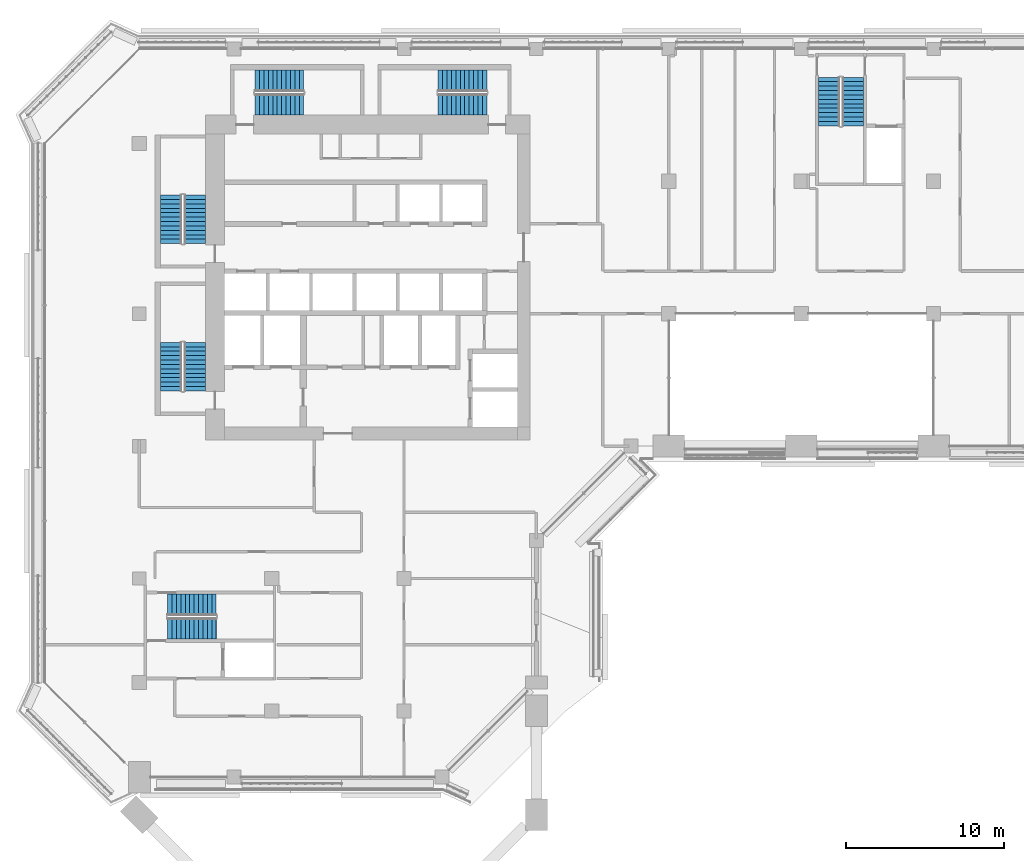
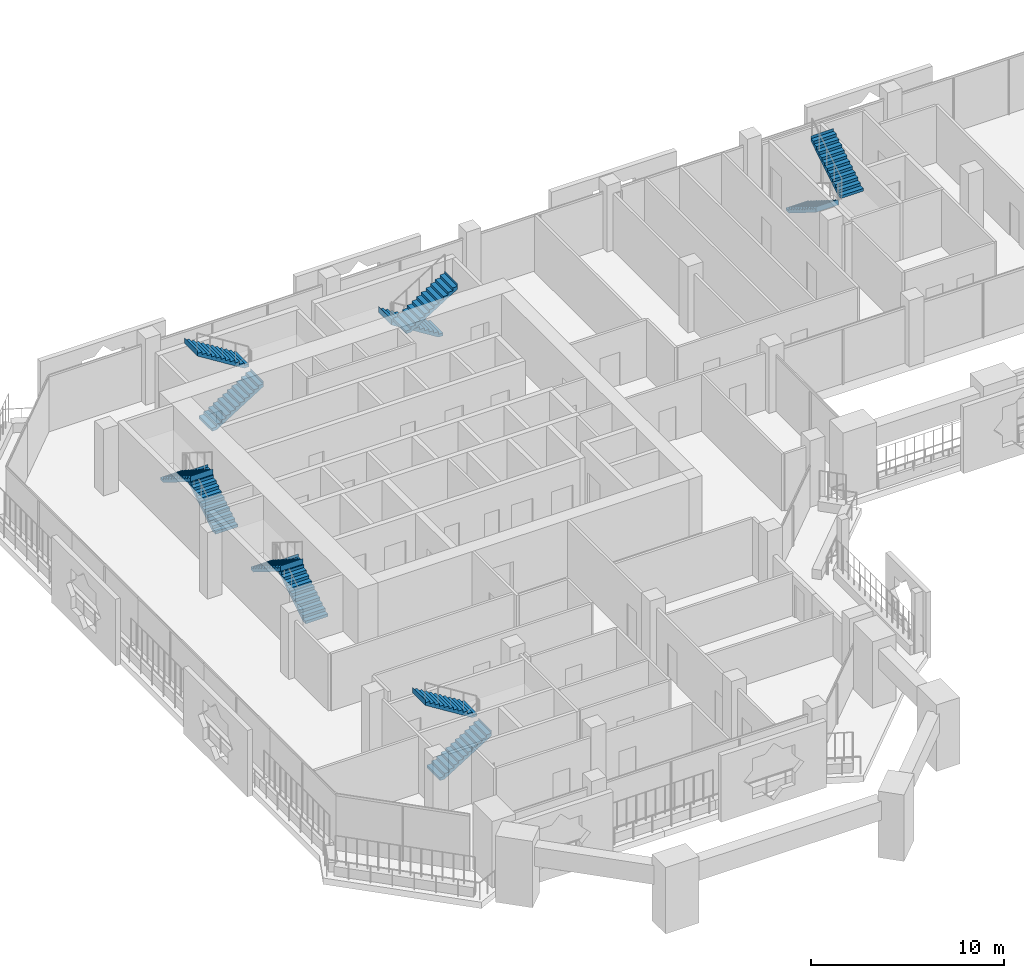
# One storey, part 16 of 23: 12 stair flights, 6 elements without a shape of their own.
"""IFC4 building model written with IfcOpenShell, lengths in metres."""

from ifc_helpers import new_model, si_unit, direction, frame, origin, place, context, subcontext, project, spatial, polyline, outline, extrude, material, type_object, element, aggregate, save


model = new_model("IFC4")

# Units and contexts
model_context = context("Model", 3, precision=1e-05, world=origin(), true_north=direction((0.0, 1.0)))
body_context = subcontext(model_context, "Body", "Model", "MODEL_VIEW")
ifc_project = project(units=[si_unit("LENGTHUNIT", "METRE"), si_unit("AREAUNIT", "SQUARE_METRE"), si_unit("VOLUMEUNIT", "CUBIC_METRE"), si_unit("PLANEANGLEUNIT", "RADIAN"), si_unit("MASSUNIT", "GRAM", prefix="KILO")], contexts=[model_context])

# Site, building, storey
site_placement = place(None, origin())
site = spatial("IfcSite", under=ifc_project, at=site_placement, CompositionType="ELEMENT")
building_placement = place(site_placement, origin())
building = spatial("IfcBuilding", under=site, at=building_placement, Name="Kawkab Arch Medical Tower", CompositionType="ELEMENT")
storey_placement = place(building_placement, frame((0.0, 0.0, 222.199951171875)))
storey = spatial("IfcBuildingStorey", under=building, at=storey_placement, Name="L51", CompositionType="ELEMENT", Elevation=222.199951171875)

# Stair, stair flights
ifc_material_1 = material(Name="Concrete C40/50", Category="concrete")
stair_type = type_object("IfcStairType", Name="Exit stair 1350", PredefinedType="HALF_TURN_STAIR", material=ifc_material_1)
placement = place(storey_placement, origin())
stair_1 = element("IfcStair", 1, at=placement, inside=storey, type_object=stair_type, Name="L51 Exit stair ST1", PredefinedType="HALF_TURN_STAIR")
ifc_material_2 = material(Name="Concrete C40/50", Category="concrete")
stair_flight_type = type_object("IfcStairFlightType", Name="Exit stair flight 1350", PredefinedType="STRAIGHT", material=ifc_material_2)
stair_flight_1_placement = place(storey_placement, frame((3.52490234375, -12.35009765625, 0.0), z_axis=(0.0, 0.0, 1.0), x_axis=(0.0, 1.0, 0.0)))
stair_flight_1 = element("IfcStairFlight", 2, at=stair_flight_1_placement, type_object=stair_flight_type, Name="ST1 flight 1", NumberOfRisers=12, NumberOfTreads=11, PredefinedType="STRAIGHT", RiserHeight=0.175, TreadLength=0.28, context=body_context, shape_type="SweptSolid", body=[
    extrude(outline(polyline([(-0.0029296875, 0.0), (-0.0029296875, 0.175048828125), (0.0, 0.175048828125), (0.280029296875, 0.175048828125), (0.280029296875, 0.35009765625), (0.56005859375, 0.35009765625), (0.56005859375, 0.52490234375), (0.840087890625, 0.52490234375), (0.840087890625, 0.699951171875), (1.1201171875, 0.699951171875), (1.1201171875, 0.875), (1.39990234375, 0.875), (1.39990234375, 1.050048828125), (1.679931640625, 1.050048828125), (1.679931640625, 1.22509765625), (1.9599609375, 1.22509765625), (1.9599609375, 1.39990234375), (2.239990234375, 1.39990234375), (2.239990234375, 1.574951171875), (2.52001953125, 1.574951171875), (2.52001953125, 1.75), (2.800048828125, 1.75), (2.800048828125, 1.925048828125), (3.080078125, 1.925048828125), (3.080078125, 2.10009765625), (3.0830078125, 2.10009765625), (3.0830078125, 1.748291015625), (3.080078125, 1.748291015625), (0.28271484375, 0.0), (-0.0029296875, 0.0)])), frame((0.0, 0.675048828125, 0.0), z_axis=(0.0, -1.0, 0.0), x_axis=(1.0, 0.0, 0.0)), (0.0, 0.0, 1.0), 1.35009765625),
])
stair_flight_2_placement = place(storey_placement, frame((2.02490234375, -9.27001953125, 2.10009765625), z_axis=(0.0, 0.0, 1.0), x_axis=(0.0, -1.0, 0.0)))
stair_flight_2 = element("IfcStairFlight", 3, at=stair_flight_2_placement, type_object=stair_flight_type, Name="ST1 flight 2", NumberOfRisers=12, NumberOfTreads=11, PredefinedType="STRAIGHT", RiserHeight=0.175, TreadLength=0.28, context=body_context, shape_type="SweptSolid", body=[
    extrude(outline(polyline([(-0.0029296875, 0.0), (-0.0029296875, 0.175048828125), (0.0, 0.175048828125), (0.280029296875, 0.175048828125), (0.280029296875, 0.35009765625), (0.56005859375, 0.35009765625), (0.56005859375, 0.52490234375), (0.840087890625, 0.52490234375), (0.840087890625, 0.699951171875), (1.1201171875, 0.699951171875), (1.1201171875, 0.875), (1.39990234375, 0.875), (1.39990234375, 1.050048828125), (1.679931640625, 1.050048828125), (1.679931640625, 1.22509765625), (1.9599609375, 1.22509765625), (1.9599609375, 1.39990234375), (2.239990234375, 1.39990234375), (2.239990234375, 1.574951171875), (2.52001953125, 1.574951171875), (2.52001953125, 1.75), (2.800048828125, 1.75), (2.800048828125, 1.925048828125), (3.080078125, 1.925048828125), (3.080078125, 2.10009765625), (3.0830078125, 2.10009765625), (3.0830078125, 1.748291015625), (3.080078125, 1.748291015625), (0.28271484375, 0.0), (-0.0029296875, 0.0)])), frame((0.0, 0.675048828125, 0.0), z_axis=(0.0, -1.0, 0.0), x_axis=(1.0, 0.0, 0.0)), (0.0, 0.0, 1.0), 1.35009765625),
])
aggregate(stair_1, [stair_flight_1, stair_flight_2])

stair_2 = element("IfcStair", 4, at=placement, inside=storey, type_object=stair_type, Name="L51 Exit stair ST2", PredefinedType="HALF_TURN_STAIR")
stair_flight_3_placement = place(storey_placement, frame((3.52490234375, -21.699951171875, 0.0), z_axis=(0.0, 0.0, 1.0), x_axis=(0.0, 1.0, 0.0)))
stair_flight_3 = element("IfcStairFlight", 5, at=stair_flight_3_placement, type_object=stair_flight_type, Name="ST2 flight 1", NumberOfRisers=12, NumberOfTreads=11, PredefinedType="STRAIGHT", RiserHeight=0.175, TreadLength=0.28, context=body_context, shape_type="SweptSolid", body=[
    extrude(outline(polyline([(-0.0029296875, 0.0), (-0.0029296875, 0.175048828125), (0.0, 0.175048828125), (0.280029296875, 0.175048828125), (0.280029296875, 0.35009765625), (0.56005859375, 0.35009765625), (0.56005859375, 0.52490234375), (0.840087890625, 0.52490234375), (0.840087890625, 0.699951171875), (1.1201171875, 0.699951171875), (1.1201171875, 0.875), (1.39990234375, 0.875), (1.39990234375, 1.050048828125), (1.679931640625, 1.050048828125), (1.679931640625, 1.22509765625), (1.9599609375, 1.22509765625), (1.9599609375, 1.39990234375), (2.239990234375, 1.39990234375), (2.239990234375, 1.574951171875), (2.52001953125, 1.574951171875), (2.52001953125, 1.75), (2.800048828125, 1.75), (2.800048828125, 1.925048828125), (3.080078125, 1.925048828125), (3.080078125, 2.10009765625), (3.0830078125, 2.10009765625), (3.0830078125, 1.748291015625), (3.080078125, 1.748291015625), (0.28271484375, 0.0), (-0.0029296875, 0.0)])), frame((0.0, 0.675048828125, 0.0), z_axis=(0.0, -1.0, 0.0), x_axis=(1.0, 0.0, 0.0)), (0.0, 0.0, 1.0), 1.35009765625),
])
stair_flight_4_placement = place(storey_placement, frame((2.02490234375, -18.6201171875, 2.10009765625), z_axis=(0.0, 0.0, 1.0), x_axis=(0.0, -1.0, 0.0)))
stair_flight_4 = element("IfcStairFlight", 6, at=stair_flight_4_placement, type_object=stair_flight_type, Name="ST2 flight 2", NumberOfRisers=12, NumberOfTreads=11, PredefinedType="STRAIGHT", RiserHeight=0.175, TreadLength=0.28, context=body_context, shape_type="SweptSolid", body=[
    extrude(outline(polyline([(-0.0029296875, 0.0), (-0.0029296875, 0.175048828125), (0.0, 0.175048828125), (0.280029296875, 0.175048828125), (0.280029296875, 0.35009765625), (0.56005859375, 0.35009765625), (0.56005859375, 0.52490234375), (0.840087890625, 0.52490234375), (0.840087890625, 0.699951171875), (1.1201171875, 0.699951171875), (1.1201171875, 0.875), (1.39990234375, 0.875), (1.39990234375, 1.050048828125), (1.679931640625, 1.050048828125), (1.679931640625, 1.22509765625), (1.9599609375, 1.22509765625), (1.9599609375, 1.39990234375), (2.239990234375, 1.39990234375), (2.239990234375, 1.574951171875), (2.52001953125, 1.574951171875), (2.52001953125, 1.75), (2.800048828125, 1.75), (2.800048828125, 1.925048828125), (3.080078125, 1.925048828125), (3.080078125, 2.10009765625), (3.0830078125, 2.10009765625), (3.0830078125, 1.748291015625), (3.080078125, 1.748291015625), (0.28271484375, 0.0), (-0.0029296875, 0.0)])), frame((0.0, 0.675048828125, 0.0), z_axis=(0.0, -1.0, 0.0), x_axis=(1.0, 0.0, 0.0)), (0.0, 0.0, 1.0), 1.35009765625),
])
aggregate(stair_2, [stair_flight_3, stair_flight_4])

stair_3 = element("IfcStair", 7, at=placement, inside=storey, type_object=stair_type, Name="L51 Exit stair ST3", PredefinedType="HALF_TURN_STAIR")
stair_flight_5_placement = place(storey_placement, frame((7.35009765625, -3.52490234375, 0.0), z_axis=(0.0, 0.0, 1.0), x_axis=(1.0, 0.0, 0.0)))
stair_flight_5 = element("IfcStairFlight", 8, at=stair_flight_5_placement, type_object=stair_flight_type, Name="ST3 flight 1", NumberOfRisers=12, NumberOfTreads=11, PredefinedType="STRAIGHT", RiserHeight=0.175, TreadLength=0.28, context=body_context, shape_type="SweptSolid", body=[
    extrude(outline(polyline([(-0.0029296875, 0.0), (-0.0029296875, 0.175048828125), (0.0, 0.175048828125), (0.280029296875, 0.175048828125), (0.280029296875, 0.35009765625), (0.56005859375, 0.35009765625), (0.56005859375, 0.52490234375), (0.840087890625, 0.52490234375), (0.840087890625, 0.699951171875), (1.1201171875, 0.699951171875), (1.1201171875, 0.875), (1.39990234375, 0.875), (1.39990234375, 1.050048828125), (1.679931640625, 1.050048828125), (1.679931640625, 1.22509765625), (1.9599609375, 1.22509765625), (1.9599609375, 1.39990234375), (2.239990234375, 1.39990234375), (2.239990234375, 1.574951171875), (2.52001953125, 1.574951171875), (2.52001953125, 1.75), (2.800048828125, 1.75), (2.800048828125, 1.925048828125), (3.080078125, 1.925048828125), (3.080078125, 2.10009765625), (3.0830078125, 2.10009765625), (3.0830078125, 1.748291015625), (3.080078125, 1.748291015625), (0.28271484375, 0.0), (-0.0029296875, 0.0)])), frame((0.0, 0.675048828125, 0.0), z_axis=(0.0, -1.0, 0.0), x_axis=(1.0, 0.0, 0.0)), (0.0, 0.0, 1.0), 1.35009765625),
])
stair_flight_6_placement = place(storey_placement, frame((10.429931640625, -2.02490234375, 2.10009765625), z_axis=(0.0, 0.0, 1.0), x_axis=(-1.0, 0.0, 0.0)))
stair_flight_6 = element("IfcStairFlight", 9, at=stair_flight_6_placement, type_object=stair_flight_type, Name="ST3 flight 2", NumberOfRisers=12, NumberOfTreads=11, PredefinedType="STRAIGHT", RiserHeight=0.175, TreadLength=0.28, context=body_context, shape_type="SweptSolid", body=[
    extrude(outline(polyline([(-0.0029296875, 0.0), (-0.0029296875, 0.175048828125), (0.0, 0.175048828125), (0.280029296875, 0.175048828125), (0.280029296875, 0.35009765625), (0.56005859375, 0.35009765625), (0.56005859375, 0.52490234375), (0.840087890625, 0.52490234375), (0.840087890625, 0.699951171875), (1.1201171875, 0.699951171875), (1.1201171875, 0.875), (1.39990234375, 0.875), (1.39990234375, 1.050048828125), (1.679931640625, 1.050048828125), (1.679931640625, 1.22509765625), (1.9599609375, 1.22509765625), (1.9599609375, 1.39990234375), (2.239990234375, 1.39990234375), (2.239990234375, 1.574951171875), (2.52001953125, 1.574951171875), (2.52001953125, 1.75), (2.800048828125, 1.75), (2.800048828125, 1.925048828125), (3.080078125, 1.925048828125), (3.080078125, 2.10009765625), (3.0830078125, 2.10009765625), (3.0830078125, 1.748291015625), (3.080078125, 1.748291015625), (0.28271484375, 0.0), (-0.0029296875, 0.0)])), frame((0.0, 0.675048828125, 0.0), z_axis=(0.0, -1.0, 0.0), x_axis=(1.0, 0.0, 0.0)), (0.0, 0.0, 1.0), 1.35009765625),
])
aggregate(stair_3, [stair_flight_5, stair_flight_6])

stair_4 = element("IfcStair", 10, at=placement, inside=storey, type_object=stair_type, Name="L51 Exit stair ST4", PredefinedType="HALF_TURN_STAIR")
stair_flight_7_placement = place(storey_placement, frame((22.050048828125, -2.02490234375, 0.0), z_axis=(0.0, 0.0, 1.0), x_axis=(-1.0, 0.0, 0.0)))
stair_flight_7 = element("IfcStairFlight", 11, at=stair_flight_7_placement, type_object=stair_flight_type, Name="ST4 flight 1", NumberOfRisers=12, NumberOfTreads=11, PredefinedType="STRAIGHT", RiserHeight=0.175, TreadLength=0.28, context=body_context, shape_type="SweptSolid", body=[
    extrude(outline(polyline([(-0.0029296875, 0.0), (-0.0029296875, 0.175048828125), (0.0, 0.175048828125), (0.280029296875, 0.175048828125), (0.280029296875, 0.35009765625), (0.56005859375, 0.35009765625), (0.56005859375, 0.52490234375), (0.840087890625, 0.52490234375), (0.840087890625, 0.699951171875), (1.1201171875, 0.699951171875), (1.1201171875, 0.875), (1.39990234375, 0.875), (1.39990234375, 1.050048828125), (1.679931640625, 1.050048828125), (1.679931640625, 1.22509765625), (1.9599609375, 1.22509765625), (1.9599609375, 1.39990234375), (2.239990234375, 1.39990234375), (2.239990234375, 1.574951171875), (2.52001953125, 1.574951171875), (2.52001953125, 1.75), (2.800048828125, 1.75), (2.800048828125, 1.925048828125), (3.080078125, 1.925048828125), (3.080078125, 2.10009765625), (3.0830078125, 2.10009765625), (3.0830078125, 1.748291015625), (3.080078125, 1.748291015625), (0.28271484375, 0.0), (-0.0029296875, 0.0)])), frame((0.0, 0.675048828125, 0.0), z_axis=(0.0, -1.0, 0.0), x_axis=(1.0, 0.0, 0.0)), (0.0, 0.0, 1.0), 1.35009765625),
])
stair_flight_8_placement = place(storey_placement, frame((18.969970703125, -3.52490234375, 2.10009765625), z_axis=(0.0, 0.0, 1.0), x_axis=(1.0, 0.0, 0.0)))
stair_flight_8 = element("IfcStairFlight", 12, at=stair_flight_8_placement, type_object=stair_flight_type, Name="ST4 flight 2", NumberOfRisers=12, NumberOfTreads=11, PredefinedType="STRAIGHT", RiserHeight=0.175, TreadLength=0.28, context=body_context, shape_type="SweptSolid", body=[
    extrude(outline(polyline([(-0.0029296875, 0.0), (-0.0029296875, 0.175048828125), (0.0, 0.175048828125), (0.280029296875, 0.175048828125), (0.280029296875, 0.35009765625), (0.56005859375, 0.35009765625), (0.56005859375, 0.52490234375), (0.840087890625, 0.52490234375), (0.840087890625, 0.699951171875), (1.1201171875, 0.699951171875), (1.1201171875, 0.875), (1.39990234375, 0.875), (1.39990234375, 1.050048828125), (1.679931640625, 1.050048828125), (1.679931640625, 1.22509765625), (1.9599609375, 1.22509765625), (1.9599609375, 1.39990234375), (2.239990234375, 1.39990234375), (2.239990234375, 1.574951171875), (2.52001953125, 1.574951171875), (2.52001953125, 1.75), (2.800048828125, 1.75), (2.800048828125, 1.925048828125), (3.080078125, 1.925048828125), (3.080078125, 2.10009765625), (3.0830078125, 2.10009765625), (3.0830078125, 1.748291015625), (3.080078125, 1.748291015625), (0.28271484375, 0.0), (-0.0029296875, 0.0)])), frame((0.0, 0.675048828125, 0.0), z_axis=(0.0, -1.0, 0.0), x_axis=(1.0, 0.0, 0.0)), (0.0, 0.0, 1.0), 1.35009765625),
])
aggregate(stair_4, [stair_flight_7, stair_flight_8])

stair_5 = element("IfcStair", 13, at=placement, inside=storey, type_object=stair_type, Name="L51 Exit stair ST5", PredefinedType="HALF_TURN_STAIR")
stair_flight_9_placement = place(storey_placement, frame((43.77490234375, -1.800048828125, 0.0), z_axis=(0.0, 0.0, 1.0), x_axis=(0.0, -1.0, 0.0)))
stair_flight_9 = element("IfcStairFlight", 14, at=stair_flight_9_placement, type_object=stair_flight_type, Name="ST5 flight 1", NumberOfRisers=12, NumberOfTreads=11, PredefinedType="STRAIGHT", RiserHeight=0.175, TreadLength=0.28, context=body_context, shape_type="SweptSolid", body=[
    extrude(outline(polyline([(-0.0029296875, 0.0), (-0.0029296875, 0.175048828125), (0.0, 0.175048828125), (0.280029296875, 0.175048828125), (0.280029296875, 0.35009765625), (0.56005859375, 0.35009765625), (0.56005859375, 0.52490234375), (0.840087890625, 0.52490234375), (0.840087890625, 0.699951171875), (1.1201171875, 0.699951171875), (1.1201171875, 0.875), (1.39990234375, 0.875), (1.39990234375, 1.050048828125), (1.679931640625, 1.050048828125), (1.679931640625, 1.22509765625), (1.9599609375, 1.22509765625), (1.9599609375, 1.39990234375), (2.239990234375, 1.39990234375), (2.239990234375, 1.574951171875), (2.52001953125, 1.574951171875), (2.52001953125, 1.75), (2.800048828125, 1.75), (2.800048828125, 1.925048828125), (3.080078125, 1.925048828125), (3.080078125, 2.10009765625), (3.0830078125, 2.10009765625), (3.0830078125, 1.748291015625), (3.080078125, 1.748291015625), (0.28271484375, 0.0), (-0.0029296875, 0.0)])), frame((0.0, 0.675048828125, 0.0), z_axis=(0.0, -1.0, 0.0), x_axis=(1.0, 0.0, 0.0)), (0.0, 0.0, 1.0), 1.35009765625),
])
stair_flight_10_placement = place(storey_placement, frame((45.27490234375, -4.8798828125, 2.10009765625), z_axis=(0.0, 0.0, 1.0), x_axis=(0.0, 1.0, 0.0)))
stair_flight_10 = element("IfcStairFlight", 15, at=stair_flight_10_placement, type_object=stair_flight_type, Name="ST5 flight 2", NumberOfRisers=12, NumberOfTreads=11, PredefinedType="STRAIGHT", RiserHeight=0.175, TreadLength=0.28, context=body_context, shape_type="SweptSolid", body=[
    extrude(outline(polyline([(-0.0029296875, 0.0), (-0.0029296875, 0.175048828125), (0.0, 0.175048828125), (0.280029296875, 0.175048828125), (0.280029296875, 0.35009765625), (0.56005859375, 0.35009765625), (0.56005859375, 0.52490234375), (0.840087890625, 0.52490234375), (0.840087890625, 0.699951171875), (1.1201171875, 0.699951171875), (1.1201171875, 0.875), (1.39990234375, 0.875), (1.39990234375, 1.050048828125), (1.679931640625, 1.050048828125), (1.679931640625, 1.22509765625), (1.9599609375, 1.22509765625), (1.9599609375, 1.39990234375), (2.239990234375, 1.39990234375), (2.239990234375, 1.574951171875), (2.52001953125, 1.574951171875), (2.52001953125, 1.75), (2.800048828125, 1.75), (2.800048828125, 1.925048828125), (3.080078125, 1.925048828125), (3.080078125, 2.10009765625), (3.0830078125, 2.10009765625), (3.0830078125, 1.748291015625), (3.080078125, 1.748291015625), (0.28271484375, 0.0), (-0.0029296875, 0.0)])), frame((0.0, 0.675048828125, 0.0), z_axis=(0.0, -1.0, 0.0), x_axis=(1.0, 0.0, 0.0)), (0.0, 0.0, 1.0), 1.35009765625),
])
aggregate(stair_5, [stair_flight_9, stair_flight_10])

stair_6 = element("IfcStair", 16, at=placement, inside=storey, type_object=stair_type, Name="L51 Exit stair ST6", PredefinedType="HALF_TURN_STAIR")
stair_flight_11_placement = place(storey_placement, frame((1.800048828125, -36.77490234375, 0.0), z_axis=(0.0, 0.0, 1.0), x_axis=(1.0, 0.0, 0.0)))
stair_flight_11 = element("IfcStairFlight", 17, at=stair_flight_11_placement, type_object=stair_flight_type, Name="ST6 flight 1", NumberOfRisers=12, NumberOfTreads=11, PredefinedType="STRAIGHT", RiserHeight=0.175, TreadLength=0.28, context=body_context, shape_type="SweptSolid", body=[
    extrude(outline(polyline([(-0.0029296875, 0.0), (-0.0029296875, 0.175048828125), (0.0, 0.175048828125), (0.280029296875, 0.175048828125), (0.280029296875, 0.35009765625), (0.56005859375, 0.35009765625), (0.56005859375, 0.52490234375), (0.840087890625, 0.52490234375), (0.840087890625, 0.699951171875), (1.1201171875, 0.699951171875), (1.1201171875, 0.875), (1.39990234375, 0.875), (1.39990234375, 1.050048828125), (1.679931640625, 1.050048828125), (1.679931640625, 1.22509765625), (1.9599609375, 1.22509765625), (1.9599609375, 1.39990234375), (2.239990234375, 1.39990234375), (2.239990234375, 1.574951171875), (2.52001953125, 1.574951171875), (2.52001953125, 1.75), (2.800048828125, 1.75), (2.800048828125, 1.925048828125), (3.080078125, 1.925048828125), (3.080078125, 2.10009765625), (3.0830078125, 2.10009765625), (3.0830078125, 1.748291015625), (3.080078125, 1.748291015625), (0.28271484375, 0.0), (-0.0029296875, 0.0)])), frame((0.0, 0.675048828125, 0.0), z_axis=(0.0, -1.0, 0.0), x_axis=(1.0, 0.0, 0.0)), (0.0, 0.0, 1.0), 1.35009765625),
])
stair_flight_12_placement = place(storey_placement, frame((4.8798828125, -35.27490234375, 2.10009765625), z_axis=(0.0, 0.0, 1.0), x_axis=(-1.0, 0.0, 0.0)))
stair_flight_12 = element("IfcStairFlight", 18, at=stair_flight_12_placement, type_object=stair_flight_type, Name="ST6 flight 2", NumberOfRisers=12, NumberOfTreads=11, PredefinedType="STRAIGHT", RiserHeight=0.175, TreadLength=0.28, context=body_context, shape_type="SweptSolid", body=[
    extrude(outline(polyline([(-0.0029296875, 0.0), (-0.0029296875, 0.175048828125), (0.0, 0.175048828125), (0.280029296875, 0.175048828125), (0.280029296875, 0.35009765625), (0.56005859375, 0.35009765625), (0.56005859375, 0.52490234375), (0.840087890625, 0.52490234375), (0.840087890625, 0.699951171875), (1.1201171875, 0.699951171875), (1.1201171875, 0.875), (1.39990234375, 0.875), (1.39990234375, 1.050048828125), (1.679931640625, 1.050048828125), (1.679931640625, 1.22509765625), (1.9599609375, 1.22509765625), (1.9599609375, 1.39990234375), (2.239990234375, 1.39990234375), (2.239990234375, 1.574951171875), (2.52001953125, 1.574951171875), (2.52001953125, 1.75), (2.800048828125, 1.75), (2.800048828125, 1.925048828125), (3.080078125, 1.925048828125), (3.080078125, 2.10009765625), (3.0830078125, 2.10009765625), (3.0830078125, 1.748291015625), (3.080078125, 1.748291015625), (0.28271484375, 0.0), (-0.0029296875, 0.0)])), frame((0.0, 0.675048828125, 0.0), z_axis=(0.0, -1.0, 0.0), x_axis=(1.0, 0.0, 0.0)), (0.0, 0.0, 1.0), 1.35009765625),
])
aggregate(stair_6, [stair_flight_11, stair_flight_12])

save(model, "model.ifc")
